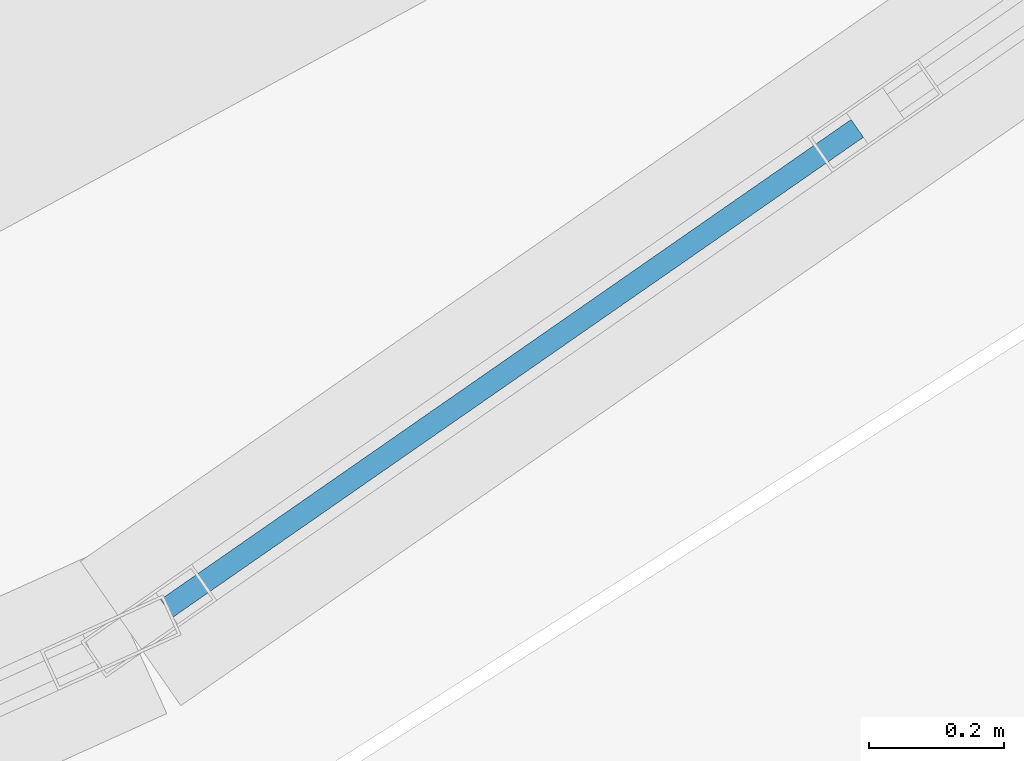
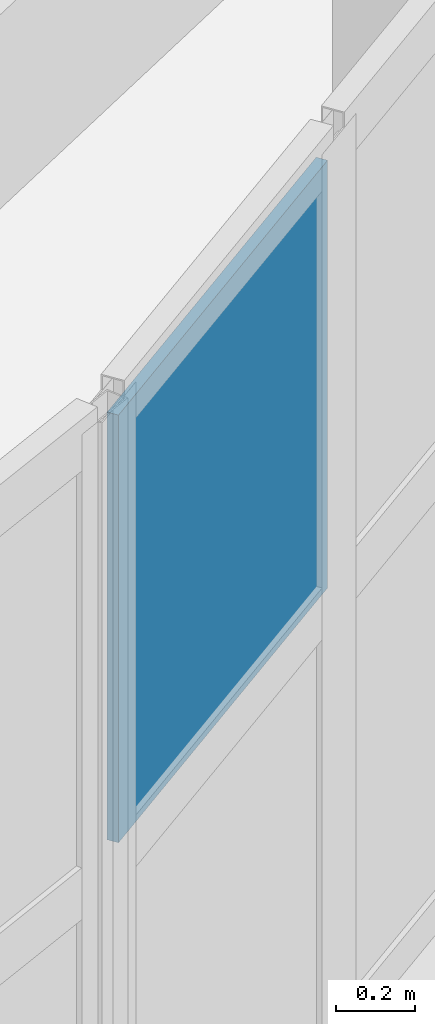
# One storey, part 61 of 98: 1 plate, 1 element without a shape of its own.
"""IFC4 building model written with IfcOpenShell, lengths in metres."""

from ifc_helpers import new_model, si_unit, direction, frame, origin, origin_2d, place, context, subcontext, project, spatial, rectangle, extrude, material, layer, layer_set, type_object, element, aggregate, save


model = new_model("IFC4")

# Units and contexts
model_context = context("Model", 3, precision=1e-05, world=origin(), true_north=direction((0.0, 1.0)))
body_context = subcontext(model_context, "Body", "Model", "MODEL_VIEW")
ifc_project = project(units=[si_unit("LENGTHUNIT", "METRE"), si_unit("AREAUNIT", "SQUARE_METRE"), si_unit("VOLUMEUNIT", "CUBIC_METRE"), si_unit("PLANEANGLEUNIT", "RADIAN"), si_unit("MASSUNIT", "GRAM", prefix="KILO")], contexts=[model_context])

# Site, building, storey
site_placement = place(None, origin())
site = spatial("IfcSite", under=ifc_project, at=site_placement, CompositionType="ELEMENT")
building_placement = place(site_placement, origin())
building = spatial("IfcBuilding", under=site, at=building_placement, Name="Pelvatis Terrace Science Centre", CompositionType="ELEMENT")
storey_placement = place(building_placement, frame((0.0, 0.0, 5.39990234375)))
storey = spatial("IfcBuildingStorey", under=building, at=storey_placement, Name="L01", CompositionType="ELEMENT", Elevation=5.39990234375)

# Curtain wall, plate
ifc_material_1 = material(Name="Bronze-anodised aluminium and laminated glass", Category="aluminium")
ifc_layer_1 = layer(ifc_material_1, 0.199951171875)
ifc_layer_set_1 = layer_set([ifc_layer_1], Name="Bronze-anodised aluminium and laminated glass")
curtain_wall_type = type_object("IfcCurtainWallType", Name="CW-RIBBON-B", PredefinedType="NOTDEFINED", material=ifc_layer_set_1)
curtain_wall_placement = place(storey_placement, origin())
curtain_wall = element("IfcCurtainWall", 1, at=curtain_wall_placement, inside=storey, type_object=curtain_wall_type, Name="Ribbon curtain wall CW-150 (L01)", PredefinedType="NOTDEFINED")
ifc_material_2 = material(Name="Low-e laminated solar-control double glazing", Category="glass")
ifc_layer_2 = layer(ifc_material_2, 0.031982421875)
ifc_layer_set_2 = layer_set([ifc_layer_2], Name="Low-e laminated solar-control double glazing")
plate_type = type_object("IfcPlateType", Name="CWP-IGU-32", PredefinedType="CURTAIN_PANEL", material=ifc_layer_set_2)
plate_placement = place(storey_placement, frame((126.914794921875, 63.860595703125, 2.47265625), z_axis=(0.0, 0.0, 1.0), x_axis=(0.821107117619, 0.570774124672, 0.0)))
plate = element("IfcPlate", 2, at=plate_placement, type_object=plate_type, Name="CW-150 panel 1.2", PredefinedType="CURTAIN_PANEL", context=body_context, shape_type="SweptSolid", body=[
    extrude(rectangle(XDim=1.24462890625, YDim=0.031982421875, at=origin_2d()), origin(), (0.0, 0.0, 1.0), 1.322509765625),
])
aggregate(curtain_wall, [plate])

save(model, "model.ifc")
